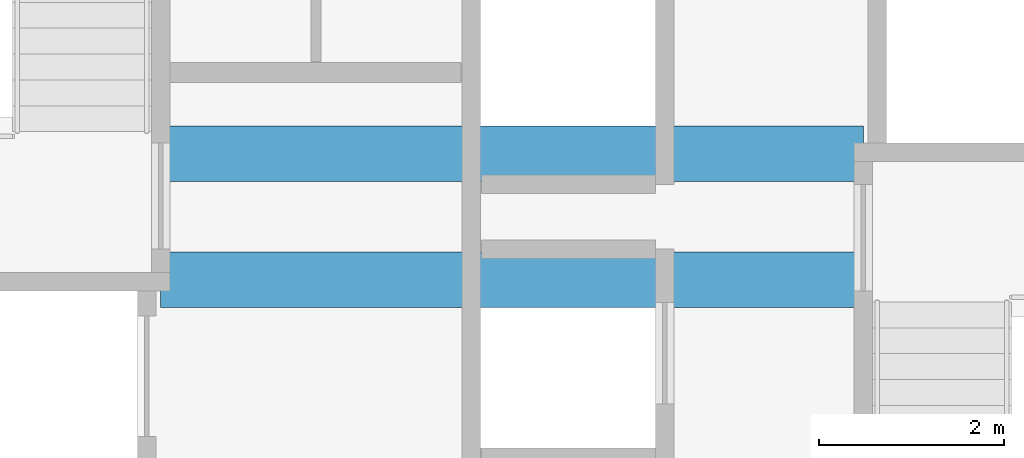
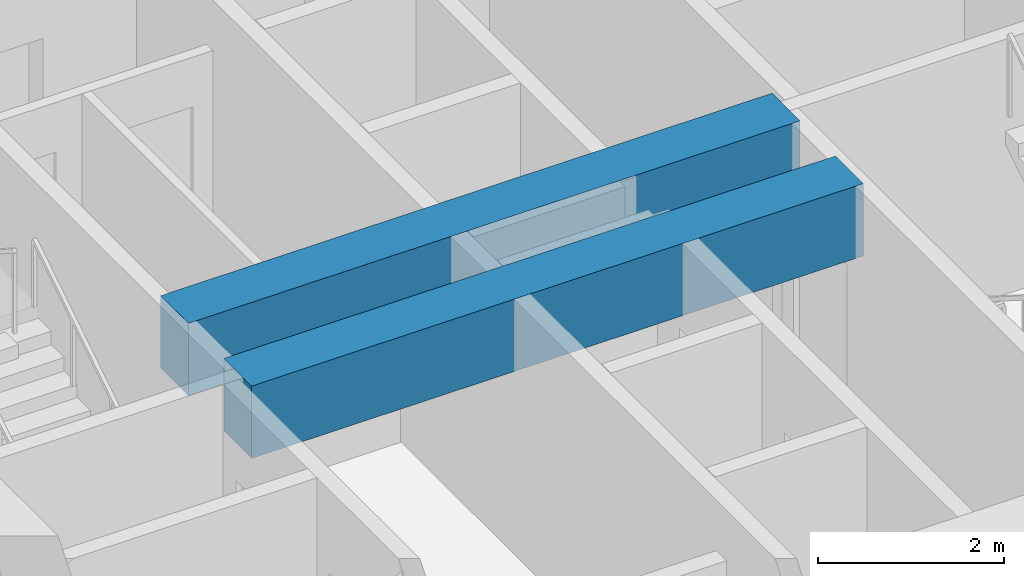
# One storey, part 8 of 48: 2 beams.
"""IFC4 building model written with IfcOpenShell, lengths in metres."""

import ifcopenshell
import ifcopenshell.guid

model = None  # the IFC model being written
_history = None  # IfcOwnerHistory: only IFC2X3 demands one
_inside = {}  # id of a spatial element -> (the spatial element, [elements in it])
_under = {}  # id of a project, library or spatial element -> (it, [spatial elements below it])
_declared = {}  # id of a project -> (the project, [libraries it declares])
_typed = {}  # id of a type object -> (the type object, [elements of that type])
_made_of = {}  # id of a material, layer set ... -> (it, [elements and type objects made of it])


def new_model(schema):
    """Start an empty IFC model of exactly this schema.

    Asked for "IFC4X3", IfcOpenShell would pick the latest addendum, in which some entities
    have other attributes; the version numbers below select the first issue.
    IFC2X3 requires an IfcOwnerHistory on every rooted entity: one is made here for all.
    """
    global model, _history
    if schema == "IFC4X3":
        model = ifcopenshell.file(schema_version=(4, 3, 0, 0))
    else:
        model = ifcopenshell.file(schema=schema)
    _inside.clear()
    _under.clear()
    _declared.clear()
    _typed.clear()
    _made_of.clear()
    _history = None
    if model.schema == "IFC2X3":
        org = make("IfcOrganization", Name="unknown")
        user = make(
            "IfcPersonAndOrganization",
            ThePerson=make("IfcPerson", FamilyName="unknown"),
            TheOrganization=org,
        )
        app = make(
            "IfcApplication",
            ApplicationDeveloper=org,
            Version="unknown",
            ApplicationFullName="unknown",
            ApplicationIdentifier="unknown",
        )
        _history = make(
            "IfcOwnerHistory",
            OwningUser=user,
            OwningApplication=app,
            ChangeAction="ADDED",
            CreationDate=0,
        )
    return model


def make(cls, **values):
    """One entity of the class cls with the attributes given. An attribute that is None is left unset."""
    return model.create_entity(
        cls, **{name: value for name, value in values.items() if value is not None}
    )


def rooted(cls, **values):
    """An entity with a GlobalId (a new one), such as an element, a storey or a relation."""
    return make(cls, GlobalId=ifcopenshell.guid.new(), OwnerHistory=_history, **values)


def si_unit(unit_type, name, prefix=None):
    """IfcSIUnit, for example si_unit("LENGTHUNIT", "METRE", prefix="MILLI")."""
    return make("IfcSIUnit", UnitType=unit_type, Prefix=prefix, Name=name)


def assignment(units):
    """IfcUnitAssignment: the units of a project."""
    return None if units is None else make("IfcUnitAssignment", Units=units)


def point(xyz):
    """IfcCartesianPoint."""
    return None if xyz is None else make("IfcCartesianPoint", Coordinates=xyz)


def direction(xyz):
    """IfcDirection."""
    return None if xyz is None else make("IfcDirection", DirectionRatios=xyz)


def frame(location, z_axis=None, x_axis=None):
    """IfcAxis2Placement3D, a coordinate frame: its origin and axes. An axis left out is left unset."""
    return make(
        "IfcAxis2Placement3D",
        Location=point(location),
        Axis=direction(z_axis),
        RefDirection=direction(x_axis),
    )


def frame_2d(location, x_axis=None):
    """IfcAxis2Placement2D, a coordinate frame in the plane: its origin and x axis."""
    return make(
        "IfcAxis2Placement2D", Location=point(location), RefDirection=direction(x_axis)
    )


def origin():
    """The frame at (0, 0, 0) with its axes left unset."""
    return frame((0.0, 0.0, 0.0))


def origin_2d():
    """The frame at (0, 0) in the plane with its x axis left unset."""
    return frame_2d((0.0, 0.0))


def place(relative_to, where):
    """IfcLocalPlacement: puts the frame where relative to a parent placement (None: the world)."""
    return make(
        "IfcLocalPlacement", PlacementRelTo=relative_to, RelativePlacement=where
    )


def context(
    kind, dimensions, precision=None, world=None, true_north=None, identifier=None
):
    """IfcGeometricRepresentationContext, for example the 3D "Model" context."""
    return make(
        "IfcGeometricRepresentationContext",
        ContextIdentifier=identifier,
        ContextType=kind,
        CoordinateSpaceDimension=dimensions,
        Precision=precision,
        WorldCoordinateSystem=world,
        TrueNorth=true_north,
    )


def subcontext(parent, identifier, kind, view, scale=None):
    """IfcGeometricRepresentationSubContext, for example "Body" below "Model"."""
    return make(
        "IfcGeometricRepresentationSubContext",
        ContextIdentifier=identifier,
        ContextType=kind,
        ParentContext=parent,
        TargetScale=scale,
        TargetView=view,
    )


def project(units=None, contexts=None):
    """IfcProject with its units and contexts."""
    return rooted(
        "IfcProject",
        Name="project",
        RepresentationContexts=contexts,
        UnitsInContext=assignment(units),
    )


def spatial(cls, under=None, at=None, **own):
    """A site, building, storey or space (cls), placed at a placement, below another one or the project."""
    s = rooted(cls, ObjectPlacement=at, **own)
    if under is not None:
        _under.setdefault(under.id(), (under, []))[1].append(s)
    return s


def profile(cls, at=None, kind="AREA", **sizes):
    """A parametric profile (cls). Its sizes go by their IFC names, for example OverallWidth=200.0."""
    return make(cls, ProfileType=kind, Position=at, **sizes)


def rectangle(**sizes):
    """IfcRectangleProfileDef."""
    return profile("IfcRectangleProfileDef", **sizes)


def extrude(swept, where, along, depth):
    """IfcExtrudedAreaSolid: the profile swept, set in the frame where, extruded along a direction by depth."""
    return make(
        "IfcExtrudedAreaSolid",
        SweptArea=swept,
        Position=where,
        ExtrudedDirection=direction(along),
        Depth=depth,
    )


def shape(context_of_items, identifier, shape_type, items):
    """IfcShapeRepresentation: the items that make up one representation, for example the "Body"."""
    return make(
        "IfcShapeRepresentation",
        ContextOfItems=context_of_items,
        RepresentationIdentifier=identifier,
        RepresentationType=shape_type,
        Items=items,
    )


def material(Name=None, Category=None):
    """IfcMaterial."""
    return make("IfcMaterial", Name=Name, Category=Category)


def material_profile(
    of_material, cross_section, Name=None, Category=None, Priority=None
):
    """IfcMaterialProfile: a cross section and its material."""
    return make(
        "IfcMaterialProfile",
        Name=Name,
        Material=of_material,
        Profile=cross_section,
        Priority=Priority,
        Category=Category,
    )


def profile_set(profiles, Name=None, composite=None):
    """IfcMaterialProfileSet."""
    return make(
        "IfcMaterialProfileSet",
        Name=Name,
        MaterialProfiles=profiles,
        CompositeProfile=composite,
    )


def made_of(thing, what):
    """Note that an element or type object is made of a material, layer set ...; save() writes the relation."""
    if what is not None:
        _made_of.setdefault(what.id(), (what, []))[1].append(thing)
    return thing


def type_object(cls, material=None, **own):
    """A type object (cls), such as IfcWallType, which elements share."""
    return made_of(rooted(cls, **own), material)


def element(
    cls,
    number,
    at=None,
    inside=None,
    cuts=None,
    type_object=None,
    material=None,
    context=None,
    identifier="Body",
    shape_type=None,
    held_by="IfcProductDefinitionShape",
    body=None,
    shapes=None,
    **own,
):
    """One element of the class cls, such as IfcWall. Its Tag is "e" and its number.

    at: its placement. inside: the storey or other place that contains it. cuts: it is an
    opening in that element (IfcRelVoidsElement). A single representation is given by context,
    identifier, shape_type and body (its items); several are given by shapes. held_by: the class
    of the entity that holds the representations. save() writes the other relations.
    """
    e = rooted(cls, Tag="e%d" % number, ObjectPlacement=at, **own)
    if body is not None:
        shapes = [shape(context, identifier, shape_type, body)]
    if shapes is not None:
        e.Representation = make(held_by, Representations=shapes)
    if inside is not None:
        _inside.setdefault(inside.id(), (inside, []))[1].append(e)
    if cuts is not None:
        rooted(
            "IfcRelVoidsElement", RelatingBuildingElement=cuts, RelatedOpeningElement=e
        )
    if type_object is not None:
        _typed.setdefault(type_object.id(), (type_object, []))[1].append(e)
    return made_of(e, material)


def aggregate(whole, parts):
    """IfcRelAggregates: a whole, such as a stair, and the parts it consists of."""
    return rooted("IfcRelAggregates", RelatingObject=whole, RelatedObjects=parts)


def save(model, path):
    """Write the relations noted so far, then the file.

    IfcRelAggregates (storeys below a building ...), IfcRelContainedInSpatialStructure (elements
    in a storey), IfcRelDefinesByType, IfcRelAssociatesMaterial and IfcRelDeclares: one each for
    every whole, place, type object, material and project.
    """
    for whole, parts in _under.values():
        aggregate(whole, parts)
    for where, things in _inside.values():
        rooted(
            "IfcRelContainedInSpatialStructure",
            RelatedElements=things,
            RelatingStructure=where,
        )
    for kind, things in _typed.values():
        rooted("IfcRelDefinesByType", RelatedObjects=things, RelatingType=kind)
    for what, things in _made_of.values():
        rooted("IfcRelAssociatesMaterial", RelatedObjects=things, RelatingMaterial=what)
    for by, libraries in _declared.values():
        rooted("IfcRelDeclares", RelatingContext=by, RelatedDefinitions=libraries)
    model.write(path)


model = new_model("IFC4")

# Units and contexts
model_context = context("Model", 3, precision=1e-05, world=origin(), true_north=direction((0.0, 1.0)))
body_context = subcontext(model_context, "Body", "Model", "MODEL_VIEW")
ifc_project = project(units=[si_unit("LENGTHUNIT", "METRE"), si_unit("AREAUNIT", "SQUARE_METRE"), si_unit("VOLUMEUNIT", "CUBIC_METRE"), si_unit("PLANEANGLEUNIT", "RADIAN"), si_unit("MASSUNIT", "GRAM", prefix="KILO")], contexts=[model_context])

# Site, building, storey
site_placement = place(None, origin())
site = spatial("IfcSite", under=ifc_project, at=site_placement, CompositionType="ELEMENT")
building_placement = place(site_placement, origin())
building = spatial("IfcBuilding", under=site, at=building_placement, Name="Tashvorn Skyway Center", CompositionType="ELEMENT")
storey_placement = place(building_placement, frame((0.0, 0.0, 53.0)))
storey = spatial("IfcBuildingStorey", under=building, at=storey_placement, Name="L13", CompositionType="ELEMENT", Elevation=53.0)

# Beams
ifc_material = material(Name="Concrete C60/75", Category="concrete")
ifc_material_profile = material_profile(ifc_material, rectangle(XDim=0.60009765625, YDim=0.949951171875, at=origin_2d()), Name="RCB600x950")
ifc_profile_set = profile_set([ifc_material_profile], Name="Concrete C60/75")
beam_type = type_object("IfcBeamType", Name="BM-LINTEL-RCB600x950", PredefinedType="LINTEL", material=ifc_profile_set)
for number, where, z_axis, x_axis, name in (
    (1, (38.199951171875, 32.679931640625, 2.875), (1.0, 0.0, 0.0), (0.0, 1.0, 0.0), "Tower 1 L13 Core Coupling Beam CN"),
    (2, (38.199951171875, 31.320068359375, 2.875), (1.0, 0.0, 0.0), (0.0, 1.0, 0.0), "Tower 1 L13 Core Coupling Beam CS"),
):
    element("IfcBeam", number, at=place(storey_placement, frame(where, z_axis=z_axis, x_axis=x_axis)), inside=storey, type_object=beam_type, Name=name, PredefinedType="LINTEL", context=body_context, shape_type="SweptSolid", body=[
        extrude(rectangle(XDim=0.60009765625, YDim=0.949951171875, at=origin_2d()), origin(), (0.0, 0.0, 1.0), 7.60009765625),
    ])

save(model, "model.ifc")
